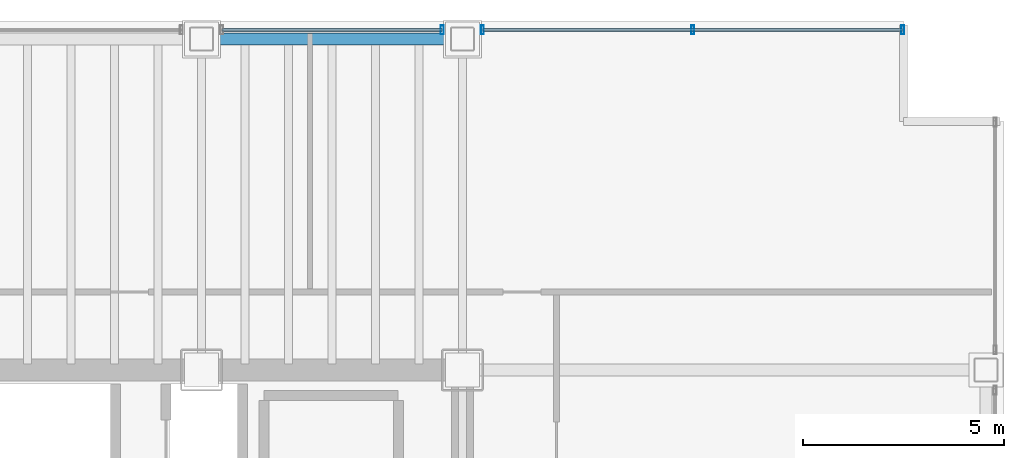
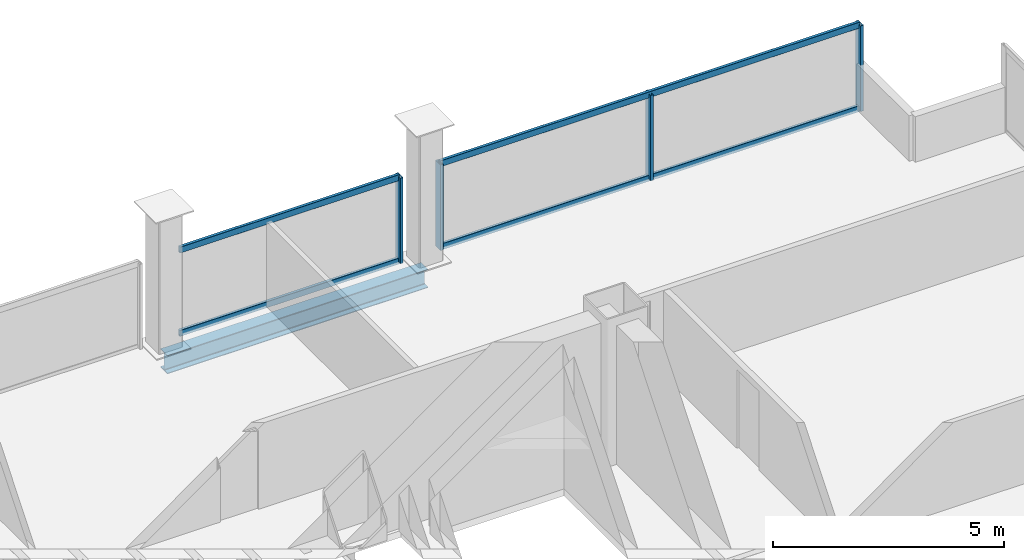
# One storey, part 15 of 21: 8 members, 1 beam, 2 elements without a shape of their own.
"""IFC4 building model written with IfcOpenShell, lengths in metres."""

from ifc_helpers import new_model, si_unit, direction, frame, origin, origin_2d, place, context, subcontext, project, spatial, hollow_rectangle, i_section, extrude, material, material_profile, profile_set, type_object, element, aggregate, save


model = new_model("IFC4")

# Units and contexts
model_context = context("Model", 3, precision=1e-05, world=origin(), true_north=direction((0.0, 1.0)))
body_context = subcontext(model_context, "Body", "Model", "MODEL_VIEW")
ifc_project = project(units=[si_unit("LENGTHUNIT", "METRE"), si_unit("AREAUNIT", "SQUARE_METRE"), si_unit("VOLUMEUNIT", "CUBIC_METRE"), si_unit("PLANEANGLEUNIT", "RADIAN"), si_unit("MASSUNIT", "GRAM", prefix="KILO")], contexts=[model_context])

# Site, building, storey
site_placement = place(None, origin())
site = spatial("IfcSite", under=ifc_project, at=site_placement, CompositionType="ELEMENT")
building_placement = place(site_placement, origin())
building = spatial("IfcBuilding", under=site, at=building_placement, Name="Noeulbin Bourse Tower", CompositionType="ELEMENT")
storey_placement = place(building_placement, frame((0.0, 0.0, 77.199951171875)))
storey = spatial("IfcBuildingStorey", under=building, at=storey_placement, Name="L19", CompositionType="ELEMENT", Elevation=77.199951171875)

# Beam
ifc_material_1 = material(Name="Steel S355", Category="steel")
ifc_material_profile_1 = material_profile(ifc_material_1, i_section(OverallWidth=0.300048828125, OverallDepth=0.488037109375, WebThickness=0.010986328125, FlangeThickness=0.01806640625, FilletRadius=0.02197265625, at=origin_2d()), Name="H-488x300x11x18", Category="LoadBearing")
ifc_profile_set_1 = profile_set([ifc_material_profile_1], Name="Steel S355")
beam_type = type_object("IfcBeamType", Name="BM-SPN-488", PredefinedType="SPANDREL", material=ifc_profile_set_1)
beam_placement = place(storey_placement, frame((37.5, 46.550048828125, -0.424072265625), z_axis=(1.0, 0.0, 0.0), x_axis=(0.0, 1.0, 0.0)))
element("IfcBeam", 1, at=beam_placement, inside=storey, type_object=beam_type, Name="North Spandrel L19-4", PredefinedType="SPANDREL", context=body_context, shape_type="SweptSolid", body=[
    extrude(i_section(OverallWidth=0.300048828125, OverallDepth=0.488037109375, WebThickness=0.010986328125, FlangeThickness=0.01806640625, FilletRadius=0.02197265625, at=origin_2d()), origin(), (0.0, 0.0, 1.0), 6.5),
])

# Curtain wall, member
ifc_material_2 = material(Name="Dark Solar-Control Double Glazing", Category="glass")
curtain_wall_type = type_object("IfcCurtainWallType", Name="CW-SYS-2", PredefinedType="NOTDEFINED", material=ifc_material_2)
curtain_wall_1_placement = place(storey_placement, origin())
curtain_wall_1 = element("IfcCurtainWall", 2, at=curtain_wall_1_placement, inside=storey, type_object=curtain_wall_type, Name="Unitised Curtain Wall CW-L19-N-S5", PredefinedType="NOTDEFINED")
ifc_material_3 = material(Name="Anodised Aluminium 6063-T6", Category="aluminium")
ifc_material_profile_2 = material_profile(ifc_material_3, hollow_rectangle(XDim=0.074951171875, YDim=0.219970703125, WallThickness=0.0048828125, InnerFilletRadius=0.00244140625, OuterFilletRadius=0.0048828125, at=origin_2d()), Name="ALU-MULL-75x220x5", Category="LoadBearing")
ifc_profile_set_2 = profile_set([ifc_material_profile_2], Name="Anodised Aluminium 6063-T6")
member_type_1 = type_object("IfcMemberType", Name="CW-SYS-2-MUL", PredefinedType="MULLION", material=ifc_profile_set_2)
member_1_placement = place(storey_placement, frame((43.5, 46.780029296875, -0.02001953125), z_axis=(0.0, 0.0, 1.0), x_axis=(1.0, 0.0, 0.0)))
member_1 = element("IfcMember", 3, at=member_1_placement, type_object=member_type_1, Name="Curtain Wall Mullion CW-L19-N-S5-M01", PredefinedType="MULLION", context=body_context, shape_type="SweptSolid", body=[
    extrude(hollow_rectangle(XDim=0.074951171875, YDim=0.219970703125, WallThickness=0.0048828125, InnerFilletRadius=0.00244140625, OuterFilletRadius=0.0048828125, at=origin_2d()), origin(), (0.0, 0.0, 1.0), 2.260009765625),
])

# Curtain wall, members
curtain_wall_2_placement = place(storey_placement, origin())
curtain_wall_2 = element("IfcCurtainWall", 4, at=curtain_wall_2_placement, inside=storey, type_object=curtain_wall_type, Name="Unitised Curtain Wall CW-L19-N-S6", PredefinedType="NOTDEFINED")
member_2_placement = place(storey_placement, frame((44.5, 46.780029296875, -0.02001953125), z_axis=(0.0, 0.0, 1.0), x_axis=(1.0, 0.0, 0.0)))
member_2 = element("IfcMember", 5, at=member_2_placement, type_object=member_type_1, Name="Curtain Wall Mullion CW-L19-N-S6-M00", PredefinedType="MULLION", context=body_context, shape_type="SweptSolid", body=[
    extrude(hollow_rectangle(XDim=0.074951171875, YDim=0.219970703125, WallThickness=0.0048828125, InnerFilletRadius=0.00244140625, OuterFilletRadius=0.0048828125, at=origin_2d()), origin(), (0.0, 0.0, 1.0), 2.260009765625),
])
member_3_placement = place(storey_placement, frame((49.739990234375, 46.780029296875, -0.02001953125), z_axis=(0.0, 0.0, 1.0), x_axis=(1.0, 0.0, 0.0)))
member_3 = element("IfcMember", 6, at=member_3_placement, type_object=member_type_1, Name="Curtain Wall Mullion CW-L19-N-S6-M01", PredefinedType="MULLION", context=body_context, shape_type="SweptSolid", body=[
    extrude(hollow_rectangle(XDim=0.074951171875, YDim=0.219970703125, WallThickness=0.0048828125, InnerFilletRadius=0.00244140625, OuterFilletRadius=0.0048828125, at=origin_2d()), origin(), (0.0, 0.0, 1.0), 2.260009765625),
])
member_4_placement = place(storey_placement, frame((54.97998046875, 46.780029296875, -0.02001953125), z_axis=(0.0, 0.0, 1.0), x_axis=(1.0, 0.0, 0.0)))
member_4 = element("IfcMember", 7, at=member_4_placement, type_object=member_type_1, Name="Curtain Wall Mullion CW-L19-N-S6-M02", PredefinedType="MULLION", context=body_context, shape_type="SweptSolid", body=[
    extrude(hollow_rectangle(XDim=0.074951171875, YDim=0.219970703125, WallThickness=0.0048828125, InnerFilletRadius=0.00244140625, OuterFilletRadius=0.0048828125, at=origin_2d()), origin(), (0.0, 0.0, 1.0), 2.260009765625),
])

# Member
ifc_material_profile_3 = material_profile(ifc_material_3, hollow_rectangle(XDim=0.074951171875, YDim=0.159912109375, WallThickness=0.0048828125, InnerFilletRadius=0.00244140625, OuterFilletRadius=0.0048828125, at=origin_2d()), Name="ALU-TRAN-75x160x5", Category="LoadBearing")
ifc_profile_set_3 = profile_set([ifc_material_profile_3], Name="Anodised Aluminium 6063-T6")
member_type_2 = type_object("IfcMemberType", Name="CW-SYS-2-TRN", PredefinedType="USERDEFINED", material=ifc_profile_set_3)
member_5_placement = place(storey_placement, frame((38.010009765625, 46.780029296875, 0.010009765625), z_axis=(1.0, 0.0, 0.0), x_axis=(0.0, 1.0, 0.0)))
member_5 = element("IfcMember", 8, at=member_5_placement, type_object=member_type_2, Name="Curtain Wall Transom CW-L19-N-S5-T00", ObjectType="TRANSOM", PredefinedType="USERDEFINED", context=body_context, shape_type="SweptSolid", body=[
    extrude(hollow_rectangle(XDim=0.074951171875, YDim=0.159912109375, WallThickness=0.0048828125, InnerFilletRadius=0.00244140625, OuterFilletRadius=0.0048828125, at=origin_2d()), origin(), (0.0, 0.0, 1.0), 5.47998046875),
])

member_6_placement = place(storey_placement, frame((38.010009765625, 46.780029296875, 2.2099609375), z_axis=(1.0, 0.0, 0.0), x_axis=(0.0, 1.0, 0.0)))
member_6 = element("IfcMember", 9, at=member_6_placement, type_object=member_type_2, Name="Curtain Wall Transom CW-L19-N-S5-T01", ObjectType="TRANSOM", PredefinedType="USERDEFINED", context=body_context, shape_type="SweptSolid", body=[
    extrude(hollow_rectangle(XDim=0.074951171875, YDim=0.159912109375, WallThickness=0.0048828125, InnerFilletRadius=0.00244140625, OuterFilletRadius=0.0048828125, at=origin_2d()), origin(), (0.0, 0.0, 1.0), 5.47998046875),
])

aggregate(curtain_wall_1, [member_1, member_5, member_6])

member_7_placement = place(storey_placement, frame((44.510009765625, 46.780029296875, 0.010009765625), z_axis=(1.0, 0.0, 0.0), x_axis=(0.0, 1.0, 0.0)))
member_7 = element("IfcMember", 10, at=member_7_placement, type_object=member_type_2, Name="Curtain Wall Transom CW-L19-N-S6-T00", ObjectType="TRANSOM", PredefinedType="USERDEFINED", context=body_context, shape_type="SweptSolid", body=[
    extrude(hollow_rectangle(XDim=0.074951171875, YDim=0.159912109375, WallThickness=0.0048828125, InnerFilletRadius=0.00244140625, OuterFilletRadius=0.0048828125, at=origin_2d()), origin(), (0.0, 0.0, 1.0), 10.4599609375),
])

member_8_placement = place(storey_placement, frame((44.510009765625, 46.780029296875, 2.2099609375), z_axis=(1.0, 0.0, 0.0), x_axis=(0.0, 1.0, 0.0)))
member_8 = element("IfcMember", 11, at=member_8_placement, type_object=member_type_2, Name="Curtain Wall Transom CW-L19-N-S6-T01", ObjectType="TRANSOM", PredefinedType="USERDEFINED", context=body_context, shape_type="SweptSolid", body=[
    extrude(hollow_rectangle(XDim=0.074951171875, YDim=0.159912109375, WallThickness=0.0048828125, InnerFilletRadius=0.00244140625, OuterFilletRadius=0.0048828125, at=origin_2d()), origin(), (0.0, 0.0, 1.0), 10.4599609375),
])

aggregate(curtain_wall_2, [member_2, member_3, member_4, member_7, member_8])

save(model, "model.ifc")
